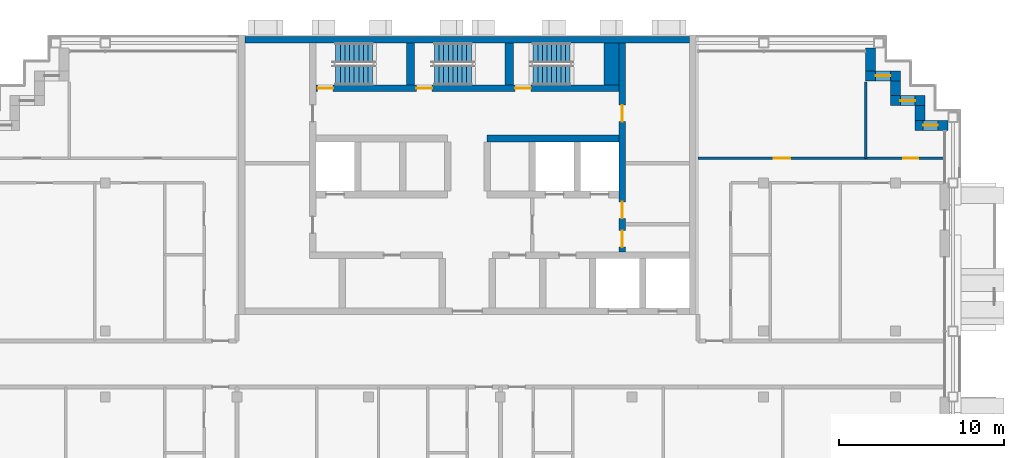
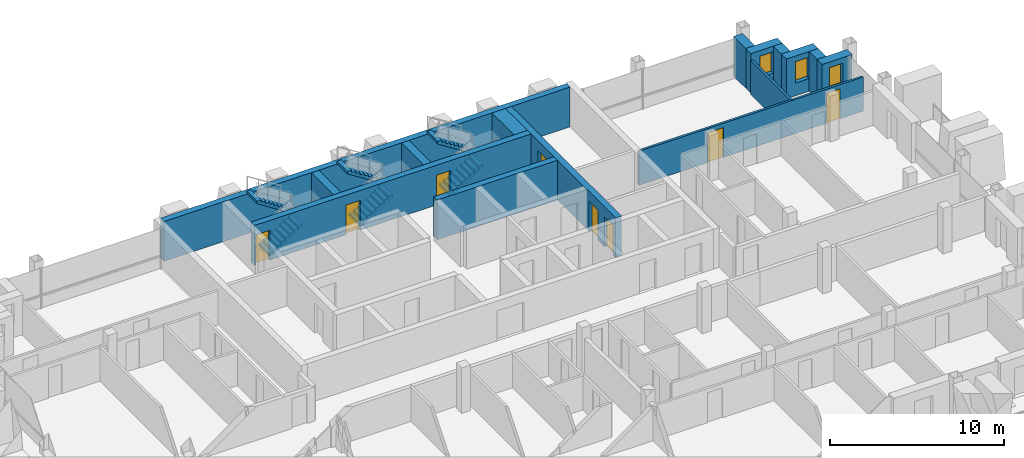
# One storey, part 11 of 15: 15 walls, 8 doors, 6 stair flights, 3 windows, 11 openings, 3 elements without a shape of their own.
"""IFC4 building model written with IfcOpenShell, lengths in metres."""

from ifc_helpers import new_model, si_unit, direction, frame, frame_2d, origin, place, context, subcontext, project, spatial, polyline, rectangle, outline, extrude, material, layer, layer_set, type_object, element, fill, aggregate, save


model = new_model("IFC4")

# Units and contexts
model_context = context("Model", 3, precision=1e-05, world=origin(), true_north=direction((0.0, 1.0)))
body_context = subcontext(model_context, "Body", "Model", "MODEL_VIEW")
ifc_project = project(units=[si_unit("LENGTHUNIT", "METRE"), si_unit("AREAUNIT", "SQUARE_METRE"), si_unit("VOLUMEUNIT", "CUBIC_METRE"), si_unit("PLANEANGLEUNIT", "RADIAN"), si_unit("MASSUNIT", "GRAM", prefix="KILO")], contexts=[model_context])

# Site, building, storey
site_placement = place(None, origin())
site = spatial("IfcSite", under=ifc_project, at=site_placement, CompositionType="ELEMENT")
building_placement = place(site_placement, origin())
building = spatial("IfcBuilding", under=site, at=building_placement, Name="Vidyagriha Tower", CompositionType="ELEMENT")
storey_placement = place(building_placement, frame((0.0, 0.0, 236.39990234375)))
storey = spatial("IfcBuildingStorey", under=building, at=storey_placement, Name="L62", CompositionType="ELEMENT", Elevation=236.39990234375)

# Wall, opening, window
ifc_material_1 = material(Name="Precast concrete C40/50 with brick facing", Category="concrete")
ifc_layer_1 = layer(ifc_material_1, 0.60009765625)
ifc_layer_set_1 = layer_set([ifc_layer_1], Name="Precast concrete C40/50 with brick facing")
wall_type_1 = type_object("IfcWallType", Name="Brick-faced precast wall 600", PredefinedType="STANDARD", material=ifc_layer_set_1)
wall_1_placement = place(storey_placement, frame((29.199951171875, 14.5, 0.0), z_axis=(0.0, 0.0, 1.0), x_axis=(-1.0, 0.0, 0.0)))
wall_1 = element("IfcWall", 1, at=wall_1_placement, inside=storey, type_object=wall_type_1, Name="Stepped corner wall L62 R01", PredefinedType="STANDARD", context=body_context, shape_type="SweptSolid", body=[
    extrude(rectangle(XDim=2.0, YDim=0.60009765625, at=frame_2d((1.0, 0.0))), origin(), (0.0, 0.0, 1.0), 2.800048828125),
])
opening_1_placement = place(wall_1_placement, frame((0.610107421875, 0.0, 0.89990234375)))
opening_1 = element("IfcOpeningElement", 2, at=opening_1_placement, cuts=wall_1, Name="Opening WN1", PredefinedType="OPENING", context=body_context, shape_type="SweptSolid", body=[
    extrude(rectangle(XDim=0.89990234375, YDim=1.5, at=frame_2d((0.449951171875, 0.75))), frame((0.0, 0.31005859375, 0.0), z_axis=(0.0, -1.0, 0.0), x_axis=(1.0, 0.0, 0.0)), (0.0, 0.0, 1.0), 0.6201171875),
])
ifc_material_2 = material(Name="Aluminium and glass window", Category="aluminium")
window_type = type_object("IfcWindowType", Name="Reveal window 900x1500", PartitioningType="NOTDEFINED", PredefinedType="WINDOW", material=ifc_material_2)
window_1_placement = place(opening_1_placement, origin())
window_1 = element("IfcWindow", 3, at=window_1_placement, inside=storey, type_object=window_type, Name="Reveal window L62 R01", OverallHeight=1.5, OverallWidth=0.89990234375, PartitioningType="SINGLE_PANEL", PredefinedType="WINDOW", context=body_context, shape_type="SweptSolid", body=[
    extrude(rectangle(XDim=0.89990234375, YDim=1.5, at=frame_2d((0.449951171875, 0.75))), frame((0.0, 0.030029296875, 0.0), z_axis=(0.0, -1.0, 0.0), x_axis=(1.0, 0.0, 0.0)), (0.0, 0.0, 1.0), 0.06005859375),
])
fill(opening_1, window_1)

# Wall
wall_2_placement = place(storey_placement, frame((27.5, 14.800048828125, 0.0), z_axis=(0.0, 0.0, 1.0), x_axis=(0.0, 1.0, 0.0)))
element("IfcWall", 4, at=wall_2_placement, inside=storey, type_object=wall_type_1, Name="Stepped corner wall L62 R02", PredefinedType="STANDARD", context=body_context, shape_type="SweptSolid", body=[
    extrude(rectangle(XDim=0.89990234375, YDim=0.60009765625, at=frame_2d((0.449951171875, 0.0))), origin(), (0.0, 0.0, 1.0), 2.800048828125),
])

# Wall, opening, window
wall_3_placement = place(storey_placement, frame((27.800048828125, 16.0, 0.0), z_axis=(0.0, 0.0, 1.0), x_axis=(-1.0, 0.0, 0.0)))
wall_3 = element("IfcWall", 5, at=wall_3_placement, inside=storey, type_object=wall_type_1, Name="Stepped corner wall L62 R03", PredefinedType="STANDARD", context=body_context, shape_type="SweptSolid", body=[
    extrude(rectangle(XDim=2.10009765625, YDim=0.60009765625, at=frame_2d((1.050048828125, 0.0))), origin(), (0.0, 0.0, 1.0), 2.800048828125),
])
opening_2_placement = place(wall_3_placement, frame((0.60009765625, 0.0, 0.89990234375)))
opening_2 = element("IfcOpeningElement", 6, at=opening_2_placement, cuts=wall_3, Name="Opening WN1", PredefinedType="OPENING", context=body_context, shape_type="SweptSolid", body=[
    extrude(rectangle(XDim=0.89990234375, YDim=1.5, at=frame_2d((0.449951171875, 0.75))), frame((0.0, 0.31005859375, 0.0), z_axis=(0.0, -1.0, 0.0), x_axis=(1.0, 0.0, 0.0)), (0.0, 0.0, 1.0), 0.6201171875),
])
window_2_placement = place(opening_2_placement, origin())
window_2 = element("IfcWindow", 7, at=window_2_placement, inside=storey, type_object=window_type, Name="Reveal window L62 R03", OverallHeight=1.5, OverallWidth=0.89990234375, PartitioningType="SINGLE_PANEL", PredefinedType="WINDOW", context=body_context, shape_type="SweptSolid", body=[
    extrude(rectangle(XDim=0.89990234375, YDim=1.5, at=frame_2d((0.449951171875, 0.75))), frame((0.0, 0.030029296875, 0.0), z_axis=(0.0, -1.0, 0.0), x_axis=(1.0, 0.0, 0.0)), (0.0, 0.0, 1.0), 0.06005859375),
])
fill(opening_2, window_2)

# Wall
wall_4_placement = place(storey_placement, frame((26.0, 16.300048828125, 0.0), z_axis=(0.0, 0.0, 1.0), x_axis=(0.0, 1.0, 0.0)))
element("IfcWall", 8, at=wall_4_placement, inside=storey, type_object=wall_type_1, Name="Stepped corner wall L62 R04", PredefinedType="STANDARD", context=body_context, shape_type="SweptSolid", body=[
    extrude(rectangle(XDim=0.89990234375, YDim=0.60009765625, at=frame_2d((0.449951171875, 0.0))), origin(), (0.0, 0.0, 1.0), 2.800048828125),
])

# Wall, opening, window
wall_5_placement = place(storey_placement, frame((26.300048828125, 17.5, 0.0), z_axis=(0.0, 0.0, 1.0), x_axis=(-1.0, 0.0, 0.0)))
wall_5 = element("IfcWall", 9, at=wall_5_placement, inside=storey, type_object=wall_type_1, Name="Stepped corner wall L62 R05", PredefinedType="STANDARD", context=body_context, shape_type="SweptSolid", body=[
    extrude(rectangle(XDim=2.10009765625, YDim=0.60009765625, at=frame_2d((1.050048828125, 0.0))), origin(), (0.0, 0.0, 1.0), 2.800048828125),
])
opening_3_placement = place(wall_5_placement, frame((0.60009765625, 0.0, 0.89990234375)))
opening_3 = element("IfcOpeningElement", 10, at=opening_3_placement, cuts=wall_5, Name="Opening WN1", PredefinedType="OPENING", context=body_context, shape_type="SweptSolid", body=[
    extrude(rectangle(XDim=0.89990234375, YDim=1.5, at=frame_2d((0.449951171875, 0.75))), frame((0.0, 0.31005859375, 0.0), z_axis=(0.0, -1.0, 0.0), x_axis=(1.0, 0.0, 0.0)), (0.0, 0.0, 1.0), 0.6201171875),
])
window_3_placement = place(opening_3_placement, origin())
window_3 = element("IfcWindow", 11, at=window_3_placement, inside=storey, type_object=window_type, Name="Reveal window L62 R05", OverallHeight=1.5, OverallWidth=0.89990234375, PartitioningType="SINGLE_PANEL", PredefinedType="WINDOW", context=body_context, shape_type="SweptSolid", body=[
    extrude(rectangle(XDim=0.89990234375, YDim=1.5, at=frame_2d((0.449951171875, 0.75))), frame((0.0, 0.030029296875, 0.0), z_axis=(0.0, -1.0, 0.0), x_axis=(1.0, 0.0, 0.0)), (0.0, 0.0, 1.0), 0.06005859375),
])
fill(opening_3, window_3)

# Walls
wall_6_placement = place(storey_placement, frame((24.5, 17.800048828125, 0.0), z_axis=(0.0, 0.0, 1.0), x_axis=(0.0, 1.0, 0.0)))
element("IfcWall", 12, at=wall_6_placement, inside=storey, type_object=wall_type_1, Name="Stepped corner wall L62 R06", PredefinedType="STANDARD", context=body_context, shape_type="SweptSolid", body=[
    extrude(rectangle(XDim=1.39990234375, YDim=0.60009765625, at=frame_2d((0.699951171875, 0.0))), origin(), (0.0, 0.0, 1.0), 2.800048828125),
])
ifc_material_3 = material(Name="Concrete C60/75", Category="concrete")
ifc_layer_2 = layer(ifc_material_3, 0.39990234375)
ifc_layer_set_2 = layer_set([ifc_layer_2], Name="Concrete C60/75")
wall_type_2 = type_object("IfcWallType", Name="Core shear wall 400 mm", PredefinedType="SHEAR", material=ifc_layer_set_2)
wall_7_placement = place(storey_placement, frame((-13.5, 19.699951171875, 0.0)))
element("IfcWall", 13, at=wall_7_placement, inside=storey, type_object=wall_type_2, Name="Core north wall", PredefinedType="SHEAR", context=body_context, shape_type="SweptSolid", body=[
    extrude(rectangle(XDim=27.0, YDim=0.39990234375, at=frame_2d((13.5, 0.0))), origin(), (0.0, 0.0, 1.0), 2.800048828125),
])

# Wall, openings, doors
wall_8_placement = place(storey_placement, frame((9.39990234375, 6.800048828125, 0.0), z_axis=(0.0, 0.0, 1.0), x_axis=(0.0, 1.0, 0.0)))
wall_8 = element("IfcWall", 14, at=wall_8_placement, inside=storey, type_object=wall_type_2, Name="Core east spine wall", PredefinedType="SHEAR", context=body_context, shape_type="SweptSolid", body=[
    extrude(rectangle(XDim=12.699951171875, YDim=0.39990234375, at=frame_2d((6.35009765625, 0.0))), origin(), (0.0, 0.0, 1.0), 2.800048828125),
])
opening_4_placement = place(wall_8_placement, frame((0.300048828125, 0.0, 0.0)))
opening_4 = element("IfcOpeningElement", 15, at=opening_4_placement, cuts=wall_8, Name="Opening D62-11", PredefinedType="OPENING", context=body_context, shape_type="SweptSolid", body=[
    extrude(rectangle(XDim=1.0, YDim=2.10009765625, at=frame_2d((0.5, 1.050048828125))), frame((0.0, 0.2099609375, 0.0), z_axis=(0.0, -1.0, 0.0), x_axis=(1.0, 0.0, 0.0)), (0.0, 0.0, 1.0), 0.419921875),
])
opening_5_placement = place(wall_8_placement, frame((2.050048828125, 0.0, 0.0)))
opening_5 = element("IfcOpeningElement", 16, at=opening_5_placement, cuts=wall_8, Name="Opening D62-12", PredefinedType="OPENING", context=body_context, shape_type="SweptSolid", body=[
    extrude(rectangle(XDim=1.0, YDim=2.10009765625, at=frame_2d((0.5, 1.050048828125))), frame((0.0, 0.2099609375, 0.0), z_axis=(0.0, -1.0, 0.0), x_axis=(1.0, 0.0, 0.0)), (0.0, 0.0, 1.0), 0.419921875),
])
opening_6_placement = place(wall_8_placement, frame((7.925048828125, 0.0, 0.0)))
opening_6 = element("IfcOpeningElement", 17, at=opening_6_placement, cuts=wall_8, Name="Opening D62-13", PredefinedType="OPENING", context=body_context, shape_type="SweptSolid", body=[
    extrude(rectangle(XDim=1.0, YDim=2.10009765625, at=frame_2d((0.5, 1.050048828125))), frame((0.0, 0.2099609375, 0.0), z_axis=(0.0, -1.0, 0.0), x_axis=(1.0, 0.0, 0.0)), (0.0, 0.0, 1.0), 0.419921875),
])
ifc_material_4 = material(Name="Hollow metal door leaf")
door_type_1 = type_object("IfcDoorType", Name="Core room door 1000 x 2100 mm EI 60", OperationType="NOTDEFINED", PredefinedType="DOOR", material=ifc_material_4)
door_1_placement = place(opening_4_placement, origin())
door_1 = element("IfcDoor", 18, at=door_1_placement, inside=storey, type_object=door_type_1, Name="Door Refuse Room 62.E1", OperationType="SINGLE_SWING_RIGHT", OverallHeight=2.10009765625, OverallWidth=1.0, PredefinedType="DOOR", context=body_context, shape_type="SweptSolid", body=[
    extrude(rectangle(XDim=1.0, YDim=2.10009765625, at=frame_2d((0.5, 1.050048828125))), frame((0.0, 0.02490234375, 0.0), z_axis=(0.0, -1.0, 0.0), x_axis=(1.0, 0.0, 0.0)), (0.0, 0.0, 1.0), 0.050048828125),
])
fill(opening_4, door_1)
door_2_placement = place(opening_5_placement, origin())
door_2 = element("IfcDoor", 19, at=door_2_placement, inside=storey, type_object=door_type_1, Name="Door Mechanical Riser Room 62.E2", OperationType="SINGLE_SWING_LEFT", OverallHeight=2.10009765625, OverallWidth=1.0, PredefinedType="DOOR", context=body_context, shape_type="SweptSolid", body=[
    extrude(rectangle(XDim=1.0, YDim=2.10009765625, at=frame_2d((0.5, 1.050048828125))), frame((0.0, 0.02490234375, 0.0), z_axis=(0.0, -1.0, 0.0), x_axis=(1.0, 0.0, 0.0)), (0.0, 0.0, 1.0), 0.050048828125),
])
fill(opening_5, door_2)
door_3_placement = place(opening_6_placement, origin())
door_3 = element("IfcDoor", 20, at=door_3_placement, inside=storey, type_object=door_type_1, Name="Door Electrical Room 62.E3", OperationType="SINGLE_SWING_LEFT", OverallHeight=2.10009765625, OverallWidth=1.0, PredefinedType="DOOR", context=body_context, shape_type="SweptSolid", body=[
    extrude(rectangle(XDim=1.0, YDim=2.10009765625, at=frame_2d((0.5, 1.050048828125))), frame((0.0, 0.02490234375, 0.0), z_axis=(0.0, -1.0, 0.0), x_axis=(1.0, 0.0, 0.0)), (0.0, 0.0, 1.0), 0.050048828125),
])
fill(opening_6, door_3)

# Wall
wall_9_placement = place(storey_placement, frame((1.199951171875, 13.699951171875, 0.0)))
element("IfcWall", 21, at=wall_9_placement, inside=storey, type_object=wall_type_2, Name="Core row N rear wall", PredefinedType="SHEAR", context=body_context, shape_type="SweptSolid", body=[
    extrude(rectangle(XDim=8.0, YDim=0.39990234375, at=frame_2d((4.0, 0.0))), origin(), (0.0, 0.0, 1.0), 2.800048828125),
])

# Wall, openings, doors
wall_10_placement = place(storey_placement, frame((-9.199951171875, 16.75, 0.0)))
wall_10 = element("IfcWall", 22, at=wall_10_placement, inside=storey, type_object=wall_type_2, Name="Stair front wall", PredefinedType="SHEAR", context=body_context, shape_type="SweptSolid", body=[
    extrude(rectangle(XDim=18.39990234375, YDim=0.39990234375, at=frame_2d((9.199951171875, 0.0))), origin(), (0.0, 0.0, 1.0), 2.800048828125),
])
opening_7_placement = place(wall_10_placement, frame((0.10009765625, 0.0, 0.0)))
opening_7 = element("IfcOpeningElement", 23, at=opening_7_placement, cuts=wall_10, Name="Opening D62-06", PredefinedType="OPENING", context=body_context, shape_type="SweptSolid", body=[
    extrude(rectangle(XDim=0.949951171875, YDim=2.10009765625, at=frame_2d((0.47509765625, 1.050048828125))), frame((0.0, 0.2099609375, 0.0), z_axis=(0.0, -1.0, 0.0), x_axis=(1.0, 0.0, 0.0)), (0.0, 0.0, 1.0), 0.419921875),
])
opening_8_placement = place(wall_10_placement, frame((6.10009765625, 0.0, 0.0)))
opening_8 = element("IfcOpeningElement", 24, at=opening_8_placement, cuts=wall_10, Name="Opening D62-07", PredefinedType="OPENING", context=body_context, shape_type="SweptSolid", body=[
    extrude(rectangle(XDim=0.949951171875, YDim=2.10009765625, at=frame_2d((0.47509765625, 1.050048828125))), frame((0.0, 0.2099609375, 0.0), z_axis=(0.0, -1.0, 0.0), x_axis=(1.0, 0.0, 0.0)), (0.0, 0.0, 1.0), 0.419921875),
])
opening_9_placement = place(wall_10_placement, frame((12.10009765625, 0.0, 0.0)))
opening_9 = element("IfcOpeningElement", 25, at=opening_9_placement, cuts=wall_10, Name="Opening D62-08", PredefinedType="OPENING", context=body_context, shape_type="SweptSolid", body=[
    extrude(rectangle(XDim=0.949951171875, YDim=2.10009765625, at=frame_2d((0.47509765625, 1.050048828125))), frame((0.0, 0.2099609375, 0.0), z_axis=(0.0, -1.0, 0.0), x_axis=(1.0, 0.0, 0.0)), (0.0, 0.0, 1.0), 0.419921875),
])
ifc_material_5 = material(Name="Hollow metal door leaf")
door_type_2 = type_object("IfcDoorType", Name="Exit stair door 950 x 2100 mm EI 90", OperationType="NOTDEFINED", PredefinedType="DOOR", material=ifc_material_5)
door_4_placement = place(opening_7_placement, origin())
door_4 = element("IfcDoor", 26, at=door_4_placement, inside=storey, type_object=door_type_2, Name="Stair door ST1 L62", OperationType="SINGLE_SWING_LEFT", OverallHeight=2.10009765625, OverallWidth=0.949951171875, PredefinedType="DOOR", context=body_context, shape_type="SweptSolid", body=[
    extrude(rectangle(XDim=0.949951171875, YDim=2.10009765625, at=frame_2d((0.47509765625, 1.050048828125))), frame((0.0, 0.02490234375, 0.0), z_axis=(0.0, -1.0, 0.0), x_axis=(1.0, 0.0, 0.0)), (0.0, 0.0, 1.0), 0.050048828125),
])
fill(opening_7, door_4)
door_5_placement = place(opening_8_placement, origin())
door_5 = element("IfcDoor", 27, at=door_5_placement, inside=storey, type_object=door_type_2, Name="Stair door ST2 L62", OperationType="SINGLE_SWING_LEFT", OverallHeight=2.10009765625, OverallWidth=0.949951171875, PredefinedType="DOOR", context=body_context, shape_type="SweptSolid", body=[
    extrude(rectangle(XDim=0.949951171875, YDim=2.10009765625, at=frame_2d((0.47509765625, 1.050048828125))), frame((0.0, 0.02490234375, 0.0), z_axis=(0.0, -1.0, 0.0), x_axis=(1.0, 0.0, 0.0)), (0.0, 0.0, 1.0), 0.050048828125),
])
fill(opening_8, door_5)
door_6_placement = place(opening_9_placement, origin())
door_6 = element("IfcDoor", 28, at=door_6_placement, inside=storey, type_object=door_type_2, Name="Stair door ST3 L62", OperationType="SINGLE_SWING_LEFT", OverallHeight=2.10009765625, OverallWidth=0.949951171875, PredefinedType="DOOR", context=body_context, shape_type="SweptSolid", body=[
    extrude(rectangle(XDim=0.949951171875, YDim=2.10009765625, at=frame_2d((0.47509765625, 1.050048828125))), frame((0.0, 0.02490234375, 0.0), z_axis=(0.0, -1.0, 0.0), x_axis=(1.0, 0.0, 0.0)), (0.0, 0.0, 1.0), 0.050048828125),
])
fill(opening_9, door_6)

# Walls
ifc_material_6 = material(Name="Concrete C60/75", Category="concrete")
ifc_layer_3 = layer(ifc_material_6, 0.5)
ifc_layer_set_3 = layer_set([ifc_layer_3], Name="Concrete C60/75")
wall_type_3 = type_object("IfcWallType", Name="Core shear wall 500 mm", PredefinedType="SHEAR", material=ifc_layer_set_3)
for number, where, z_axis, x_axis, name in (
    (29, (-3.449951171875, 16.949951171875, 0.0), (0.0, 0.0, 1.0), (0.0, 1.0, 0.0), "Stair partition wall 1"),
    (30, (2.550048828125, 16.949951171875, 0.0), (0.0, 0.0, 1.0), (0.0, 1.0, 0.0), "Stair partition wall 2"),
):
    element("IfcWall", number, at=place(storey_placement, frame(where, z_axis=z_axis, x_axis=x_axis)), inside=storey, type_object=wall_type_3, Name=name, PredefinedType="SHEAR", context=body_context, shape_type="SweptSolid", body=[
        extrude(rectangle(XDim=2.550048828125, YDim=0.5, at=frame_2d((1.27490234375, 0.0))), origin(), (0.0, 0.0, 1.0), 2.800048828125),
    ])
ifc_material_7 = material(Name="Concrete C60/75", Category="concrete")
ifc_layer_4 = layer(ifc_material_7, 0.89990234375)
ifc_layer_set_4 = layer_set([ifc_layer_4], Name="Concrete C60/75")
wall_type_4 = type_object("IfcWallType", Name="Core shear wall 900 mm", PredefinedType="SHEAR", material=ifc_layer_set_4)
wall_11_placement = place(storey_placement, frame((8.75, 16.949951171875, 0.0), z_axis=(0.0, 0.0, 1.0), x_axis=(0.0, 1.0, 0.0)))
element("IfcWall", 31, at=wall_11_placement, inside=storey, type_object=wall_type_4, Name="Stair end wall", PredefinedType="SHEAR", context=body_context, shape_type="SweptSolid", body=[
    extrude(rectangle(XDim=2.550048828125, YDim=0.89990234375, at=frame_2d((1.27490234375, 0.0))), origin(), (0.0, 0.0, 1.0), 2.800048828125),
])

# Wall, openings, doors
ifc_material_8 = material(Name="Gypsum board partition")
ifc_layer_5 = layer(ifc_material_8, 0.14990234375)
ifc_layer_set_5 = layer_set([ifc_layer_5], Name="Gypsum board partition")
wall_type_5 = type_object("IfcWallType", Name="Gypsum board partition 150", PredefinedType="PARTITIONING", material=ifc_layer_set_5)
wall_12_placement = place(storey_placement, frame((14.0, 12.5, 0.0)))
wall_12 = element("IfcWall", 32, at=wall_12_placement, inside=storey, type_object=wall_type_5, Name="Wall all-L62-w085", PredefinedType="PARTITIONING", context=body_context, shape_type="SweptSolid", body=[
    extrude(rectangle(XDim=14.919921875, YDim=0.14990234375, at=frame_2d((7.4599609375, 0.0))), origin(), (0.0, 0.0, 1.0), 2.400146484375),
])
opening_10_placement = place(wall_12_placement, frame((4.60009765625, 0.0, 0.0)))
opening_10 = element("IfcOpeningElement", 33, at=opening_10_placement, cuts=wall_12, Name="Opening D62-53", PredefinedType="OPENING", context=body_context, shape_type="SweptSolid", body=[
    extrude(rectangle(XDim=1.0, YDim=2.10009765625, at=frame_2d((0.5, 1.050048828125))), frame((0.0, 0.0849609375, 0.0), z_axis=(0.0, -1.0, 0.0), x_axis=(1.0, 0.0, 0.0)), (0.0, 0.0, 1.0), 0.169921875),
])
opening_11_placement = place(wall_12_placement, frame((12.47607421875, 0.0, 0.0)))
opening_11 = element("IfcOpeningElement", 34, at=opening_11_placement, cuts=wall_12, Name="Opening D62-54", PredefinedType="OPENING", context=body_context, shape_type="SweptSolid", body=[
    extrude(rectangle(XDim=0.89990234375, YDim=2.10009765625, at=frame_2d((0.449951171875, 1.050048828125))), frame((0.0, 0.0849609375, 0.0), z_axis=(0.0, -1.0, 0.0), x_axis=(1.0, 0.0, 0.0)), (0.0, 0.0, 1.0), 0.169921875),
])
ifc_material_9 = material(Name="Timber door leaf", Category="wood")
door_type_3 = type_object("IfcDoorType", Name="Room door 1000x2100", OperationType="NOTDEFINED", PredefinedType="DOOR", material=ifc_material_9)
door_7_placement = place(opening_10_placement, origin())
door_7 = element("IfcDoor", 35, at=door_7_placement, inside=storey, type_object=door_type_3, Name="Door D62-53", OperationType="SINGLE_SWING_RIGHT", OverallHeight=2.10009765625, OverallWidth=1.0, PredefinedType="DOOR", context=body_context, shape_type="SweptSolid", body=[
    extrude(rectangle(XDim=1.0, YDim=2.10009765625, at=frame_2d((0.5, 1.050048828125))), frame((0.0, 0.02490234375, 0.0), z_axis=(0.0, -1.0, 0.0), x_axis=(1.0, 0.0, 0.0)), (0.0, 0.0, 1.0), 0.050048828125),
])
fill(opening_10, door_7)
ifc_material_10 = material(Name="Timber door leaf", Category="wood")
door_type_4 = type_object("IfcDoorType", Name="Room door 900x2100", OperationType="NOTDEFINED", PredefinedType="DOOR", material=ifc_material_10)
door_8_placement = place(opening_11_placement, origin())
door_8 = element("IfcDoor", 36, at=door_8_placement, inside=storey, type_object=door_type_4, Name="Door D62-54", OperationType="SINGLE_SWING_RIGHT", OverallHeight=2.10009765625, OverallWidth=0.89990234375, PredefinedType="DOOR", context=body_context, shape_type="SweptSolid", body=[
    extrude(rectangle(XDim=0.89990234375, YDim=2.10009765625, at=frame_2d((0.449951171875, 1.050048828125))), frame((0.0, 0.02490234375, 0.0), z_axis=(0.0, -1.0, 0.0), x_axis=(1.0, 0.0, 0.0)), (0.0, 0.0, 1.0), 0.050048828125),
])
fill(opening_11, door_8)

# Wall
wall_13_placement = place(storey_placement, frame((24.199951171875, 17.1201171875, 0.0), z_axis=(0.0, 0.0, 1.0), x_axis=(0.0, -1.0, 0.0)))
element("IfcWall", 37, at=wall_13_placement, inside=storey, type_object=wall_type_5, Name="Wall all-L62-w088", PredefinedType="PARTITIONING", context=body_context, shape_type="SweptSolid", body=[
    extrude(rectangle(XDim=4.6201171875, YDim=0.14990234375, at=frame_2d((2.31005859375, 0.0))), origin(), (0.0, 0.0, 1.0), 2.400146484375),
])

# Stair, stair flights
ifc_material_11 = material(Name="Concrete C40/50", Category="concrete")
stair_type = type_object("IfcStairType", Name="Exit stair, half-turn, precast flights", PredefinedType="HALF_TURN_STAIR", material=ifc_material_11)
stair_1_placement = place(storey_placement, origin())
stair_1 = element("IfcStair", 38, at=stair_1_placement, inside=storey, type_object=stair_type, Name="L62 Exit Stair ST1", PredefinedType="HALF_TURN_STAIR")
ifc_material_12 = material(Name="Precast concrete C40/50", Category="concrete")
stair_flight_type = type_object("IfcStairFlightType", Name="Exit stair flight 1200 mm, precast", PredefinedType="STRAIGHT", material=ifc_material_12)
stair_flight_1_placement = place(storey_placement, frame((-8.0, 17.550048828125, 0.0)))
stair_flight_1 = element("IfcStairFlight", 39, at=stair_flight_1_placement, type_object=stair_flight_type, Name="ST1 flight 1", NumberOfRisers=9, NumberOfTreads=8, PredefinedType="STRAIGHT", RiserHeight=0.177777778, TreadLength=0.28, context=body_context, shape_type="SweptSolid", body=[
    extrude(outline(polyline([(0.0, 0.0), (0.0, 0.177734375), (0.280029296875, 0.177734375), (0.280029296875, 0.35546875), (0.56005859375, 0.35546875), (0.56005859375, 0.533447265625), (0.840087890625, 0.533447265625), (0.840087890625, 0.711181640625), (1.1201171875, 0.711181640625), (1.1201171875, 0.888916015625), (1.39990234375, 0.888916015625), (1.39990234375, 1.066650390625), (1.679931640625, 1.066650390625), (1.679931640625, 1.244384765625), (1.9599609375, 1.244384765625), (1.9599609375, 1.422119140625), (2.239990234375, 1.422119140625), (2.239990234375, 1.60009765625), (2.239990234375, 1.24462890625), (0.27978515625, 0.0), (0.0, 0.0)])), frame((0.0, 0.60009765625, 0.0), z_axis=(0.0, -1.0, 0.0), x_axis=(1.0, 0.0, 0.0)), (0.0, 0.0, 1.0), 1.199951171875),
])
stair_flight_2_placement = place(storey_placement, frame((-5.760009765625, 18.89990234375, 1.60009765625), z_axis=(0.0, 0.0, 1.0), x_axis=(-1.0, 0.0, 0.0)))
stair_flight_2 = element("IfcStairFlight", 40, at=stair_flight_2_placement, type_object=stair_flight_type, Name="ST1 flight 2", NumberOfRisers=9, NumberOfTreads=8, PredefinedType="STRAIGHT", RiserHeight=0.177777778, TreadLength=0.28, context=body_context, shape_type="SweptSolid", body=[
    extrude(outline(polyline([(0.0, 0.0), (0.0, 0.177734375), (0.280029296875, 0.177734375), (0.280029296875, 0.35546875), (0.56005859375, 0.35546875), (0.56005859375, 0.533447265625), (0.840087890625, 0.533447265625), (0.840087890625, 0.711181640625), (1.1201171875, 0.711181640625), (1.1201171875, 0.888916015625), (1.39990234375, 0.888916015625), (1.39990234375, 1.066650390625), (1.679931640625, 1.066650390625), (1.679931640625, 1.244384765625), (1.9599609375, 1.244384765625), (1.9599609375, 1.422119140625), (2.239990234375, 1.422119140625), (2.239990234375, 1.60009765625), (2.239990234375, 1.24462890625), (0.27978515625, 0.0), (0.0, 0.0)])), frame((0.0, 0.60009765625, 0.0), z_axis=(0.0, -1.0, 0.0), x_axis=(1.0, 0.0, 0.0)), (0.0, 0.0, 1.0), 1.199951171875),
])
aggregate(stair_1, [stair_flight_1, stair_flight_2])

stair_2_placement = place(storey_placement, origin())
stair_2 = element("IfcStair", 41, at=stair_2_placement, inside=storey, type_object=stair_type, Name="L62 Exit Stair ST2", PredefinedType="HALF_TURN_STAIR")
stair_flight_3_placement = place(storey_placement, frame((-2.0, 17.550048828125, 0.0)))
stair_flight_3 = element("IfcStairFlight", 42, at=stair_flight_3_placement, type_object=stair_flight_type, Name="ST2 flight 1", NumberOfRisers=9, NumberOfTreads=8, PredefinedType="STRAIGHT", RiserHeight=0.177777778, TreadLength=0.28, context=body_context, shape_type="SweptSolid", body=[
    extrude(outline(polyline([(0.0, 0.0), (0.0, 0.177734375), (0.280029296875, 0.177734375), (0.280029296875, 0.35546875), (0.56005859375, 0.35546875), (0.56005859375, 0.533447265625), (0.840087890625, 0.533447265625), (0.840087890625, 0.711181640625), (1.1201171875, 0.711181640625), (1.1201171875, 0.888916015625), (1.39990234375, 0.888916015625), (1.39990234375, 1.066650390625), (1.679931640625, 1.066650390625), (1.679931640625, 1.244384765625), (1.9599609375, 1.244384765625), (1.9599609375, 1.422119140625), (2.239990234375, 1.422119140625), (2.239990234375, 1.60009765625), (2.239990234375, 1.24462890625), (0.27978515625, 0.0), (0.0, 0.0)])), frame((0.0, 0.60009765625, 0.0), z_axis=(0.0, -1.0, 0.0), x_axis=(1.0, 0.0, 0.0)), (0.0, 0.0, 1.0), 1.199951171875),
])
stair_flight_4_placement = place(storey_placement, frame((0.239990234375, 18.89990234375, 1.60009765625), z_axis=(0.0, 0.0, 1.0), x_axis=(-1.0, 0.0, 0.0)))
stair_flight_4 = element("IfcStairFlight", 43, at=stair_flight_4_placement, type_object=stair_flight_type, Name="ST2 flight 2", NumberOfRisers=9, NumberOfTreads=8, PredefinedType="STRAIGHT", RiserHeight=0.177777778, TreadLength=0.28, context=body_context, shape_type="SweptSolid", body=[
    extrude(outline(polyline([(0.0, 0.0), (0.0, 0.177734375), (0.280029296875, 0.177734375), (0.280029296875, 0.35546875), (0.56005859375, 0.35546875), (0.56005859375, 0.533447265625), (0.840087890625, 0.533447265625), (0.840087890625, 0.711181640625), (1.1201171875, 0.711181640625), (1.1201171875, 0.888916015625), (1.39990234375, 0.888916015625), (1.39990234375, 1.066650390625), (1.679931640625, 1.066650390625), (1.679931640625, 1.244384765625), (1.9599609375, 1.244384765625), (1.9599609375, 1.422119140625), (2.239990234375, 1.422119140625), (2.239990234375, 1.60009765625), (2.239990234375, 1.24462890625), (0.27978515625, 0.0), (0.0, 0.0)])), frame((0.0, 0.60009765625, 0.0), z_axis=(0.0, -1.0, 0.0), x_axis=(1.0, 0.0, 0.0)), (0.0, 0.0, 1.0), 1.199951171875),
])
aggregate(stair_2, [stair_flight_3, stair_flight_4])

stair_3_placement = place(storey_placement, origin())
stair_3 = element("IfcStair", 44, at=stair_3_placement, inside=storey, type_object=stair_type, Name="L62 Exit Stair ST3", PredefinedType="HALF_TURN_STAIR")
stair_flight_5_placement = place(storey_placement, frame((4.0, 17.550048828125, 0.0)))
stair_flight_5 = element("IfcStairFlight", 45, at=stair_flight_5_placement, type_object=stair_flight_type, Name="ST3 flight 1", NumberOfRisers=9, NumberOfTreads=8, PredefinedType="STRAIGHT", RiserHeight=0.177777778, TreadLength=0.28, context=body_context, shape_type="SweptSolid", body=[
    extrude(outline(polyline([(0.0, 0.0), (0.0, 0.177734375), (0.280029296875, 0.177734375), (0.280029296875, 0.35546875), (0.56005859375, 0.35546875), (0.56005859375, 0.533447265625), (0.840087890625, 0.533447265625), (0.840087890625, 0.711181640625), (1.1201171875, 0.711181640625), (1.1201171875, 0.888916015625), (1.39990234375, 0.888916015625), (1.39990234375, 1.066650390625), (1.679931640625, 1.066650390625), (1.679931640625, 1.244384765625), (1.9599609375, 1.244384765625), (1.9599609375, 1.422119140625), (2.239990234375, 1.422119140625), (2.239990234375, 1.60009765625), (2.239990234375, 1.24462890625), (0.27978515625, 0.0), (0.0, 0.0)])), frame((0.0, 0.60009765625, 0.0), z_axis=(0.0, -1.0, 0.0), x_axis=(1.0, 0.0, 0.0)), (0.0, 0.0, 1.0), 1.199951171875),
])
stair_flight_6_placement = place(storey_placement, frame((6.239990234375, 18.89990234375, 1.60009765625), z_axis=(0.0, 0.0, 1.0), x_axis=(-1.0, 0.0, 0.0)))
stair_flight_6 = element("IfcStairFlight", 46, at=stair_flight_6_placement, type_object=stair_flight_type, Name="ST3 flight 2", NumberOfRisers=9, NumberOfTreads=8, PredefinedType="STRAIGHT", RiserHeight=0.177777778, TreadLength=0.28, context=body_context, shape_type="SweptSolid", body=[
    extrude(outline(polyline([(0.0, 0.0), (0.0, 0.177734375), (0.280029296875, 0.177734375), (0.280029296875, 0.35546875), (0.56005859375, 0.35546875), (0.56005859375, 0.533447265625), (0.840087890625, 0.533447265625), (0.840087890625, 0.711181640625), (1.1201171875, 0.711181640625), (1.1201171875, 0.888916015625), (1.39990234375, 0.888916015625), (1.39990234375, 1.066650390625), (1.679931640625, 1.066650390625), (1.679931640625, 1.244384765625), (1.9599609375, 1.244384765625), (1.9599609375, 1.422119140625), (2.239990234375, 1.422119140625), (2.239990234375, 1.60009765625), (2.239990234375, 1.24462890625), (0.27978515625, 0.0), (0.0, 0.0)])), frame((0.0, 0.60009765625, 0.0), z_axis=(0.0, -1.0, 0.0), x_axis=(1.0, 0.0, 0.0)), (0.0, 0.0, 1.0), 1.199951171875),
])
aggregate(stair_3, [stair_flight_5, stair_flight_6])

save(model, "model.ifc")
